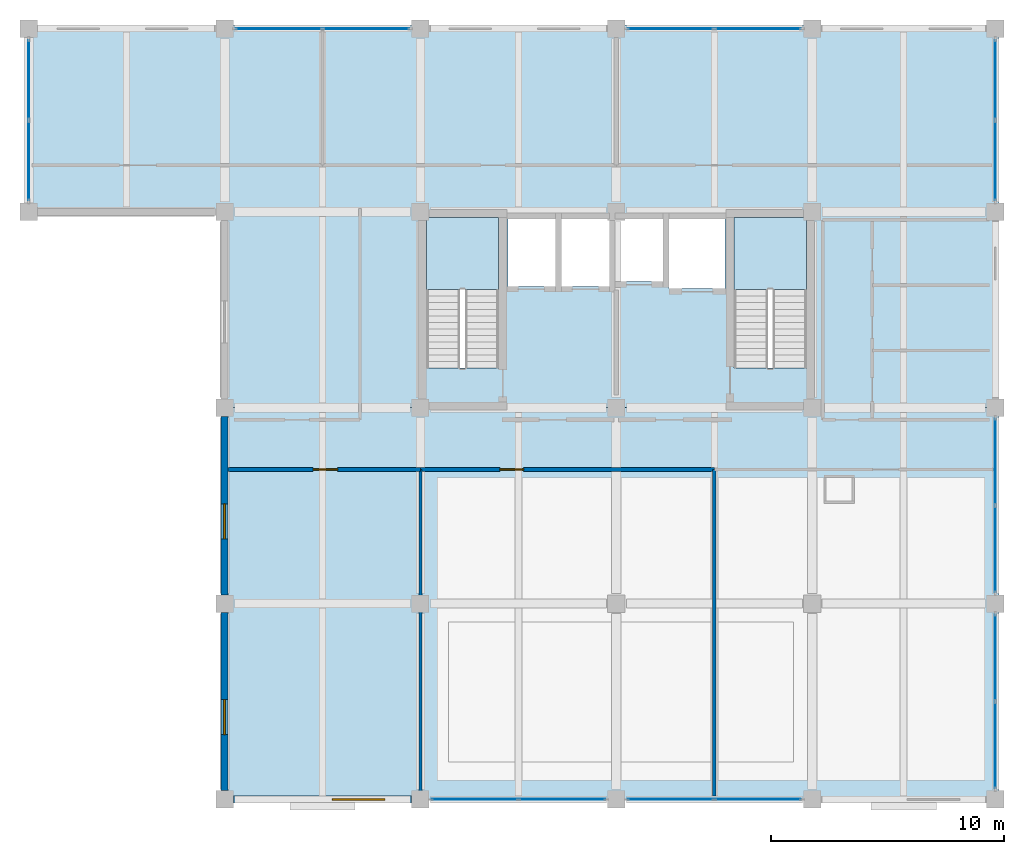
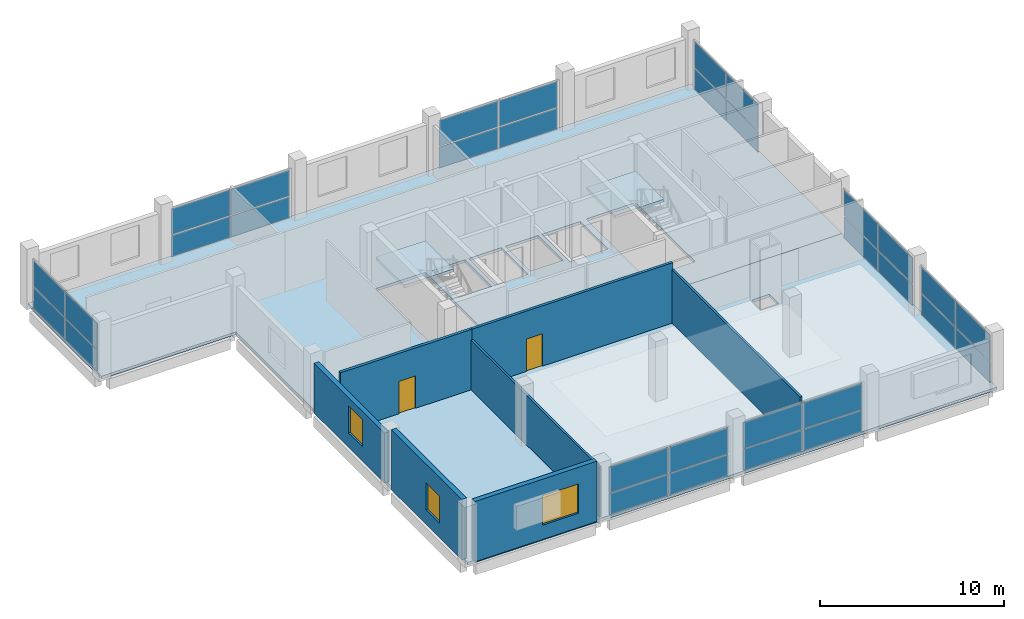
# One storey, part 6 of 9: 32 plates, 7 walls, 4 slabs, 3 windows, 2 doors, 5 openings, 10 elements without a shape of their own.
"""IFC4 building model written with IfcOpenShell, lengths in metres."""

from ifc_helpers import new_model, si_unit, direction, frame, frame_2d, origin, origin_2d, place, context, subcontext, project, spatial, polyline, rectangle, outline, extrude, material, layer, layer_set, type_object, element, fill, aggregate, save


model = new_model("IFC4")

# Units and contexts
model_context = context("Model", 3, precision=1e-05, world=origin(), true_north=direction((0.0, 1.0)))
body_context = subcontext(model_context, "Body", "Model", "MODEL_VIEW")
ifc_project = project(units=[si_unit("LENGTHUNIT", "METRE"), si_unit("AREAUNIT", "SQUARE_METRE"), si_unit("VOLUMEUNIT", "CUBIC_METRE"), si_unit("PLANEANGLEUNIT", "RADIAN"), si_unit("MASSUNIT", "GRAM", prefix="KILO")], contexts=[model_context])

# Site, building, storey
site_placement = place(None, origin())
site = spatial("IfcSite", under=ifc_project, at=site_placement, CompositionType="ELEMENT")
building_placement = place(site_placement, origin())
building = spatial("IfcBuilding", under=site, at=building_placement, Name="Brinegate Botanical Conservatory", CompositionType="ELEMENT")
storey_placement = place(building_placement, frame((0.0, 0.0, 40.199951171875)))
storey = spatial("IfcBuildingStorey", under=building, at=storey_placement, Name="L10", CompositionType="ELEMENT", Elevation=40.199951171875)

# Curtain wall, plates
ifc_material_1 = material(Name="Thermally broken anodised aluminium AW-6063-T6", Category="aluminium")
curtain_wall_type = type_object("IfcCurtainWallType", Name="CW_CW-TW1", PredefinedType="USERDEFINED", material=ifc_material_1)
curtain_wall_1_placement = place(storey_placement, origin())
curtain_wall_1 = element("IfcCurtainWall", 1, at=curtain_wall_1_placement, inside=storey, type_object=curtain_wall_type, Name="Research lab north curtain wall L10.2", ObjectType="FACTORY CURTAIN WALL", PredefinedType="USERDEFINED")
ifc_material_2 = material(Name="Double-silver Low-E laminated safety glass", Category="glass")
ifc_layer_1 = layer(ifc_material_2, 0.035888671875, Name="Double-silver Low-E laminated safety glass", Category="glass")
ifc_layer_set_1 = layer_set([ifc_layer_1], Name="Double-silver Low-E laminated safety glass")
plate_type = type_object("IfcPlateType", Name="Plate_PN-36", PredefinedType="CURTAIN_PANEL", material=ifc_layer_set_1)
plate_1_placement = place(storey_placement, frame((132.72509765625, 111.449951171875, 0.070068359375), z_axis=(0.0, 0.0, 1.0), x_axis=(1.0, 0.0, 0.0)))
plate_1 = element("IfcPlate", 2, at=plate_1_placement, type_object=plate_type, Name="CW-TW1 panel 1.1", PredefinedType="CURTAIN_PANEL", context=body_context, shape_type="SweptSolid", body=[
    extrude(rectangle(XDim=3.679931640625, YDim=0.035888671875, at=origin_2d()), origin(), (0.0, 0.0, 1.0), 1.3798828125),
])
plate_2_placement = place(storey_placement, frame((132.72509765625, 111.449951171875, 1.52001953125), z_axis=(0.0, 0.0, 1.0), x_axis=(1.0, 0.0, 0.0)))
plate_2 = element("IfcPlate", 3, at=plate_2_placement, type_object=plate_type, Name="CW-TW1 panel 1.2", PredefinedType="CURTAIN_PANEL", context=body_context, shape_type="SweptSolid", body=[
    extrude(rectangle(XDim=3.679931640625, YDim=0.035888671875, at=origin_2d()), origin(), (0.0, 0.0, 1.0), 1.7099609375),
])
plate_3_placement = place(storey_placement, frame((136.47509765625, 111.449951171875, 0.070068359375), z_axis=(0.0, 0.0, 1.0), x_axis=(1.0, 0.0, 0.0)))
plate_3 = element("IfcPlate", 4, at=plate_3_placement, type_object=plate_type, Name="CW-TW1 panel 2.1", PredefinedType="CURTAIN_PANEL", context=body_context, shape_type="SweptSolid", body=[
    extrude(rectangle(XDim=3.679931640625, YDim=0.035888671875, at=origin_2d()), origin(), (0.0, 0.0, 1.0), 1.3798828125),
])
plate_4_placement = place(storey_placement, frame((136.47509765625, 111.449951171875, 1.52001953125), z_axis=(0.0, 0.0, 1.0), x_axis=(1.0, 0.0, 0.0)))
plate_4 = element("IfcPlate", 5, at=plate_4_placement, type_object=plate_type, Name="CW-TW1 panel 2.2", PredefinedType="CURTAIN_PANEL", context=body_context, shape_type="SweptSolid", body=[
    extrude(rectangle(XDim=3.679931640625, YDim=0.035888671875, at=origin_2d()), origin(), (0.0, 0.0, 1.0), 1.7099609375),
])
aggregate(curtain_wall_1, [plate_1, plate_2, plate_3, plate_4])

curtain_wall_2_placement = place(storey_placement, origin())
curtain_wall_2 = element("IfcCurtainWall", 6, at=curtain_wall_2_placement, inside=storey, type_object=curtain_wall_type, Name="Research lab north curtain wall L10.4", ObjectType="FACTORY CURTAIN WALL", PredefinedType="USERDEFINED")
plate_5_placement = place(storey_placement, frame((149.52490234375, 111.449951171875, 0.070068359375), z_axis=(0.0, 0.0, 1.0), x_axis=(1.0, 0.0, 0.0)))
plate_5 = element("IfcPlate", 7, at=plate_5_placement, type_object=plate_type, Name="CW-TW1 panel 1.1", PredefinedType="CURTAIN_PANEL", context=body_context, shape_type="SweptSolid", body=[
    extrude(rectangle(XDim=3.679931640625, YDim=0.035888671875, at=origin_2d()), origin(), (0.0, 0.0, 1.0), 1.3798828125),
])
plate_6_placement = place(storey_placement, frame((149.52490234375, 111.449951171875, 1.52001953125), z_axis=(0.0, 0.0, 1.0), x_axis=(1.0, 0.0, 0.0)))
plate_6 = element("IfcPlate", 8, at=plate_6_placement, type_object=plate_type, Name="CW-TW1 panel 1.2", PredefinedType="CURTAIN_PANEL", context=body_context, shape_type="SweptSolid", body=[
    extrude(rectangle(XDim=3.679931640625, YDim=0.035888671875, at=origin_2d()), origin(), (0.0, 0.0, 1.0), 1.7099609375),
])
plate_7_placement = place(storey_placement, frame((153.27490234375, 111.449951171875, 0.070068359375), z_axis=(0.0, 0.0, 1.0), x_axis=(1.0, 0.0, 0.0)))
plate_7 = element("IfcPlate", 9, at=plate_7_placement, type_object=plate_type, Name="CW-TW1 panel 2.1", PredefinedType="CURTAIN_PANEL", context=body_context, shape_type="SweptSolid", body=[
    extrude(rectangle(XDim=3.679931640625, YDim=0.035888671875, at=origin_2d()), origin(), (0.0, 0.0, 1.0), 1.3798828125),
])
plate_8_placement = place(storey_placement, frame((153.27490234375, 111.449951171875, 1.52001953125), z_axis=(0.0, 0.0, 1.0), x_axis=(1.0, 0.0, 0.0)))
plate_8 = element("IfcPlate", 10, at=plate_8_placement, type_object=plate_type, Name="CW-TW1 panel 2.2", PredefinedType="CURTAIN_PANEL", context=body_context, shape_type="SweptSolid", body=[
    extrude(rectangle(XDim=3.679931640625, YDim=0.035888671875, at=origin_2d()), origin(), (0.0, 0.0, 1.0), 1.7099609375),
])
aggregate(curtain_wall_2, [plate_5, plate_6, plate_7, plate_8])

curtain_wall_3_placement = place(storey_placement, origin())
curtain_wall_3 = element("IfcCurtainWall", 11, at=curtain_wall_3_placement, inside=storey, type_object=curtain_wall_type, Name="Tower south curtain wall L10.2", ObjectType="FACTORY CURTAIN WALL", PredefinedType="USERDEFINED")
plate_9_placement = place(storey_placement, frame((144.875, 78.39990234375, 0.070068359375), z_axis=(0.0, 0.0, 1.0), x_axis=(-1.0, 0.0, 0.0)))
plate_9 = element("IfcPlate", 12, at=plate_9_placement, type_object=plate_type, Name="CW-TW1 panel 1.1", PredefinedType="CURTAIN_PANEL", context=body_context, shape_type="SweptSolid", body=[
    extrude(rectangle(XDim=3.679931640625, YDim=0.035888671875, at=origin_2d()), origin(), (0.0, 0.0, 1.0), 1.3798828125),
])
plate_10_placement = place(storey_placement, frame((144.875, 78.39990234375, 1.52001953125), z_axis=(0.0, 0.0, 1.0), x_axis=(-1.0, 0.0, 0.0)))
plate_10 = element("IfcPlate", 13, at=plate_10_placement, type_object=plate_type, Name="CW-TW1 panel 1.2", PredefinedType="CURTAIN_PANEL", context=body_context, shape_type="SweptSolid", body=[
    extrude(rectangle(XDim=3.679931640625, YDim=0.035888671875, at=origin_2d()), origin(), (0.0, 0.0, 1.0), 1.7099609375),
])
plate_11_placement = place(storey_placement, frame((141.125, 78.39990234375, 0.070068359375), z_axis=(0.0, 0.0, 1.0), x_axis=(-1.0, 0.0, 0.0)))
plate_11 = element("IfcPlate", 14, at=plate_11_placement, type_object=plate_type, Name="CW-TW1 panel 2.1", PredefinedType="CURTAIN_PANEL", context=body_context, shape_type="SweptSolid", body=[
    extrude(rectangle(XDim=3.679931640625, YDim=0.035888671875, at=origin_2d()), origin(), (0.0, 0.0, 1.0), 1.3798828125),
])
plate_12_placement = place(storey_placement, frame((141.125, 78.39990234375, 1.52001953125), z_axis=(0.0, 0.0, 1.0), x_axis=(-1.0, 0.0, 0.0)))
plate_12 = element("IfcPlate", 15, at=plate_12_placement, type_object=plate_type, Name="CW-TW1 panel 2.2", PredefinedType="CURTAIN_PANEL", context=body_context, shape_type="SweptSolid", body=[
    extrude(rectangle(XDim=3.679931640625, YDim=0.035888671875, at=origin_2d()), origin(), (0.0, 0.0, 1.0), 1.7099609375),
])
aggregate(curtain_wall_3, [plate_9, plate_10, plate_11, plate_12])

curtain_wall_4_placement = place(storey_placement, origin())
curtain_wall_4 = element("IfcCurtainWall", 16, at=curtain_wall_4_placement, inside=storey, type_object=curtain_wall_type, Name="Tower south curtain wall L10.3", ObjectType="FACTORY CURTAIN WALL", PredefinedType="USERDEFINED")
plate_13_placement = place(storey_placement, frame((153.27490234375, 78.39990234375, 0.070068359375), z_axis=(0.0, 0.0, 1.0), x_axis=(-1.0, 0.0, 0.0)))
plate_13 = element("IfcPlate", 17, at=plate_13_placement, type_object=plate_type, Name="CW-TW1 panel 1.1", PredefinedType="CURTAIN_PANEL", context=body_context, shape_type="SweptSolid", body=[
    extrude(rectangle(XDim=3.679931640625, YDim=0.035888671875, at=origin_2d()), origin(), (0.0, 0.0, 1.0), 1.3798828125),
])
plate_14_placement = place(storey_placement, frame((153.27490234375, 78.39990234375, 1.52001953125), z_axis=(0.0, 0.0, 1.0), x_axis=(-1.0, 0.0, 0.0)))
plate_14 = element("IfcPlate", 18, at=plate_14_placement, type_object=plate_type, Name="CW-TW1 panel 1.2", PredefinedType="CURTAIN_PANEL", context=body_context, shape_type="SweptSolid", body=[
    extrude(rectangle(XDim=3.679931640625, YDim=0.035888671875, at=origin_2d()), origin(), (0.0, 0.0, 1.0), 1.7099609375),
])
plate_15_placement = place(storey_placement, frame((149.52490234375, 78.39990234375, 0.070068359375), z_axis=(0.0, 0.0, 1.0), x_axis=(-1.0, 0.0, 0.0)))
plate_15 = element("IfcPlate", 19, at=plate_15_placement, type_object=plate_type, Name="CW-TW1 panel 2.1", PredefinedType="CURTAIN_PANEL", context=body_context, shape_type="SweptSolid", body=[
    extrude(rectangle(XDim=3.679931640625, YDim=0.035888671875, at=origin_2d()), origin(), (0.0, 0.0, 1.0), 1.3798828125),
])
plate_16_placement = place(storey_placement, frame((149.52490234375, 78.39990234375, 1.52001953125), z_axis=(0.0, 0.0, 1.0), x_axis=(-1.0, 0.0, 0.0)))
plate_16 = element("IfcPlate", 20, at=plate_16_placement, type_object=plate_type, Name="CW-TW1 panel 2.2", PredefinedType="CURTAIN_PANEL", context=body_context, shape_type="SweptSolid", body=[
    extrude(rectangle(XDim=3.679931640625, YDim=0.035888671875, at=origin_2d()), origin(), (0.0, 0.0, 1.0), 1.7099609375),
])
aggregate(curtain_wall_4, [plate_13, plate_14, plate_15, plate_16])

curtain_wall_5_placement = place(storey_placement, origin())
curtain_wall_5 = element("IfcCurtainWall", 21, at=curtain_wall_5_placement, inside=storey, type_object=curtain_wall_type, Name="Tower east curtain wall L10.1", ObjectType="FACTORY CURTAIN WALL", PredefinedType="USERDEFINED")
plate_17_placement = place(storey_placement, frame((163.449951171875, 84.47509765625, 0.070068359375), z_axis=(0.0, 0.0, 1.0), x_axis=(0.0, -1.0, 0.0)))
plate_17 = element("IfcPlate", 22, at=plate_17_placement, type_object=plate_type, Name="CW-TW1 panel 1.1", PredefinedType="CURTAIN_PANEL", context=body_context, shape_type="SweptSolid", body=[
    extrude(rectangle(XDim=3.679931640625, YDim=0.035888671875, at=origin_2d()), origin(), (0.0, 0.0, 1.0), 1.3798828125),
])
plate_18_placement = place(storey_placement, frame((163.449951171875, 84.47509765625, 1.52001953125), z_axis=(0.0, 0.0, 1.0), x_axis=(0.0, -1.0, 0.0)))
plate_18 = element("IfcPlate", 23, at=plate_18_placement, type_object=plate_type, Name="CW-TW1 panel 1.2", PredefinedType="CURTAIN_PANEL", context=body_context, shape_type="SweptSolid", body=[
    extrude(rectangle(XDim=3.679931640625, YDim=0.035888671875, at=origin_2d()), origin(), (0.0, 0.0, 1.0), 1.7099609375),
])
plate_19_placement = place(storey_placement, frame((163.449951171875, 80.72509765625, 0.070068359375), z_axis=(0.0, 0.0, 1.0), x_axis=(0.0, -1.0, 0.0)))
plate_19 = element("IfcPlate", 24, at=plate_19_placement, type_object=plate_type, Name="CW-TW1 panel 2.1", PredefinedType="CURTAIN_PANEL", context=body_context, shape_type="SweptSolid", body=[
    extrude(rectangle(XDim=3.679931640625, YDim=0.035888671875, at=origin_2d()), origin(), (0.0, 0.0, 1.0), 1.3798828125),
])
plate_20_placement = place(storey_placement, frame((163.449951171875, 80.72509765625, 1.52001953125), z_axis=(0.0, 0.0, 1.0), x_axis=(0.0, -1.0, 0.0)))
plate_20 = element("IfcPlate", 25, at=plate_20_placement, type_object=plate_type, Name="CW-TW1 panel 2.2", PredefinedType="CURTAIN_PANEL", context=body_context, shape_type="SweptSolid", body=[
    extrude(rectangle(XDim=3.679931640625, YDim=0.035888671875, at=origin_2d()), origin(), (0.0, 0.0, 1.0), 1.7099609375),
])
aggregate(curtain_wall_5, [plate_17, plate_18, plate_19, plate_20])

curtain_wall_6_placement = place(storey_placement, origin())
curtain_wall_6 = element("IfcCurtainWall", 26, at=curtain_wall_6_placement, inside=storey, type_object=curtain_wall_type, Name="Tower east curtain wall L10.2", ObjectType="FACTORY CURTAIN WALL", PredefinedType="USERDEFINED")
plate_21_placement = place(storey_placement, frame((163.449951171875, 92.875, 0.070068359375), z_axis=(0.0, 0.0, 1.0), x_axis=(0.0, -1.0, 0.0)))
plate_21 = element("IfcPlate", 27, at=plate_21_placement, type_object=plate_type, Name="CW-TW1 panel 1.1", PredefinedType="CURTAIN_PANEL", context=body_context, shape_type="SweptSolid", body=[
    extrude(rectangle(XDim=3.679931640625, YDim=0.035888671875, at=origin_2d()), origin(), (0.0, 0.0, 1.0), 1.3798828125),
])
plate_22_placement = place(storey_placement, frame((163.449951171875, 92.875, 1.52001953125), z_axis=(0.0, 0.0, 1.0), x_axis=(0.0, -1.0, 0.0)))
plate_22 = element("IfcPlate", 28, at=plate_22_placement, type_object=plate_type, Name="CW-TW1 panel 1.2", PredefinedType="CURTAIN_PANEL", context=body_context, shape_type="SweptSolid", body=[
    extrude(rectangle(XDim=3.679931640625, YDim=0.035888671875, at=origin_2d()), origin(), (0.0, 0.0, 1.0), 1.7099609375),
])
plate_23_placement = place(storey_placement, frame((163.449951171875, 89.125, 0.070068359375), z_axis=(0.0, 0.0, 1.0), x_axis=(0.0, -1.0, 0.0)))
plate_23 = element("IfcPlate", 29, at=plate_23_placement, type_object=plate_type, Name="CW-TW1 panel 2.1", PredefinedType="CURTAIN_PANEL", context=body_context, shape_type="SweptSolid", body=[
    extrude(rectangle(XDim=3.679931640625, YDim=0.035888671875, at=origin_2d()), origin(), (0.0, 0.0, 1.0), 1.3798828125),
])
plate_24_placement = place(storey_placement, frame((163.449951171875, 89.125, 1.52001953125), z_axis=(0.0, 0.0, 1.0), x_axis=(0.0, -1.0, 0.0)))
plate_24 = element("IfcPlate", 30, at=plate_24_placement, type_object=plate_type, Name="CW-TW1 panel 2.2", PredefinedType="CURTAIN_PANEL", context=body_context, shape_type="SweptSolid", body=[
    extrude(rectangle(XDim=3.679931640625, YDim=0.035888671875, at=origin_2d()), origin(), (0.0, 0.0, 1.0), 1.7099609375),
])
aggregate(curtain_wall_6, [plate_21, plate_22, plate_23, plate_24])

curtain_wall_7_placement = place(storey_placement, origin())
curtain_wall_7 = element("IfcCurtainWall", 31, at=curtain_wall_7_placement, inside=storey, type_object=curtain_wall_type, Name="Tower east curtain wall L10.4", ObjectType="FACTORY CURTAIN WALL", PredefinedType="USERDEFINED")
plate_25_placement = place(storey_placement, frame((163.449951171875, 109.262451171875, 0.070068359375), z_axis=(0.0, 0.0, 1.0), x_axis=(0.0, -1.0, 0.0)))
plate_25 = element("IfcPlate", 32, at=plate_25_placement, type_object=plate_type, Name="CW-TW1 panel 1.1", PredefinedType="CURTAIN_PANEL", context=body_context, shape_type="SweptSolid", body=[
    extrude(rectangle(XDim=3.405029296875, YDim=0.035888671875, at=origin_2d()), origin(), (0.0, 0.0, 1.0), 1.3798828125),
])
plate_26_placement = place(storey_placement, frame((163.449951171875, 109.262451171875, 1.52001953125), z_axis=(0.0, 0.0, 1.0), x_axis=(0.0, -1.0, 0.0)))
plate_26 = element("IfcPlate", 33, at=plate_26_placement, type_object=plate_type, Name="CW-TW1 panel 1.2", PredefinedType="CURTAIN_PANEL", context=body_context, shape_type="SweptSolid", body=[
    extrude(rectangle(XDim=3.405029296875, YDim=0.035888671875, at=origin_2d()), origin(), (0.0, 0.0, 1.0), 1.7099609375),
])
plate_27_placement = place(storey_placement, frame((163.449951171875, 105.78759765625, 0.070068359375), z_axis=(0.0, 0.0, 1.0), x_axis=(0.0, -1.0, 0.0)))
plate_27 = element("IfcPlate", 34, at=plate_27_placement, type_object=plate_type, Name="CW-TW1 panel 2.1", PredefinedType="CURTAIN_PANEL", context=body_context, shape_type="SweptSolid", body=[
    extrude(rectangle(XDim=3.405029296875, YDim=0.035888671875, at=origin_2d()), origin(), (0.0, 0.0, 1.0), 1.3798828125),
])
plate_28_placement = place(storey_placement, frame((163.449951171875, 105.78759765625, 1.52001953125), z_axis=(0.0, 0.0, 1.0), x_axis=(0.0, -1.0, 0.0)))
plate_28 = element("IfcPlate", 35, at=plate_28_placement, type_object=plate_type, Name="CW-TW1 panel 2.2", PredefinedType="CURTAIN_PANEL", context=body_context, shape_type="SweptSolid", body=[
    extrude(rectangle(XDim=3.405029296875, YDim=0.035888671875, at=origin_2d()), origin(), (0.0, 0.0, 1.0), 1.7099609375),
])
aggregate(curtain_wall_7, [plate_25, plate_26, plate_27, plate_28])

curtain_wall_8_placement = place(storey_placement, origin())
curtain_wall_8 = element("IfcCurtainWall", 36, at=curtain_wall_8_placement, inside=storey, type_object=curtain_wall_type, Name="Tower north-west curtain wall L10", ObjectType="FACTORY CURTAIN WALL", PredefinedType="USERDEFINED")
plate_29_placement = place(storey_placement, frame((122.0, 105.78759765625, 0.070068359375), z_axis=(0.0, 0.0, 1.0), x_axis=(0.0, 1.0, 0.0)))
plate_29 = element("IfcPlate", 37, at=plate_29_placement, type_object=plate_type, Name="CW-TW1 panel 1.1", PredefinedType="CURTAIN_PANEL", context=body_context, shape_type="SweptSolid", body=[
    extrude(rectangle(XDim=3.405029296875, YDim=0.035888671875, at=origin_2d()), origin(), (0.0, 0.0, 1.0), 1.3798828125),
])
plate_30_placement = place(storey_placement, frame((122.0, 105.78759765625, 1.52001953125), z_axis=(0.0, 0.0, 1.0), x_axis=(0.0, 1.0, 0.0)))
plate_30 = element("IfcPlate", 38, at=plate_30_placement, type_object=plate_type, Name="CW-TW1 panel 1.2", PredefinedType="CURTAIN_PANEL", context=body_context, shape_type="SweptSolid", body=[
    extrude(rectangle(XDim=3.405029296875, YDim=0.035888671875, at=origin_2d()), origin(), (0.0, 0.0, 1.0), 1.7099609375),
])
plate_31_placement = place(storey_placement, frame((122.0, 109.262451171875, 0.070068359375), z_axis=(0.0, 0.0, 1.0), x_axis=(0.0, 1.0, 0.0)))
plate_31 = element("IfcPlate", 39, at=plate_31_placement, type_object=plate_type, Name="CW-TW1 panel 2.1", PredefinedType="CURTAIN_PANEL", context=body_context, shape_type="SweptSolid", body=[
    extrude(rectangle(XDim=3.405029296875, YDim=0.035888671875, at=origin_2d()), origin(), (0.0, 0.0, 1.0), 1.3798828125),
])
plate_32_placement = place(storey_placement, frame((122.0, 109.262451171875, 1.52001953125), z_axis=(0.0, 0.0, 1.0), x_axis=(0.0, 1.0, 0.0)))
plate_32 = element("IfcPlate", 40, at=plate_32_placement, type_object=plate_type, Name="CW-TW1 panel 2.2", PredefinedType="CURTAIN_PANEL", context=body_context, shape_type="SweptSolid", body=[
    extrude(rectangle(XDim=3.405029296875, YDim=0.035888671875, at=origin_2d()), origin(), (0.0, 0.0, 1.0), 1.7099609375),
])
aggregate(curtain_wall_8, [plate_29, plate_30, plate_31, plate_32])

# Slabs
ifc_material_3 = material(Name="Concrete C40/50", Category="concrete")
ifc_layer_2 = layer(ifc_material_3, 0.179931640625, Name="Concrete C40/50", Category="concrete")
ifc_layer_set_2 = layer_set([ifc_layer_2], Name="Concrete C40/50")
slab_type_1 = type_object("IfcSlabType", Name="Slab_SL-FL180", PredefinedType="FLOOR", material=ifc_layer_set_2)
slab_1_placement = place(storey_placement, frame((0.0, 0.0, -0.179931640625)))
element("IfcSlab", 41, at=slab_1_placement, inside=storey, type_object=slab_type_1, Name="Research Tower L10 north structural floor slab", PredefinedType="FLOOR", context=body_context, shape_type="SweptSolid", body=[
    extrude(outline(polyline([(130.39990234375, 103.60009765625), (122.0, 103.60009765625), (122.0, 111.60009765625), (163.60009765625, 111.60009765625), (163.60009765625, 95.199951171875), (130.39990234375, 95.199951171875), (130.39990234375, 103.60009765625)]), holes=[polyline([(142.14990234375, 96.89990234375), (142.14990234375, 103.35009765625), (139.050048828125, 103.35009765625), (139.050048828125, 96.89990234375), (142.14990234375, 96.89990234375)]), polyline([(155.35009765625, 96.89990234375), (155.35009765625, 103.35009765625), (152.25, 103.35009765625), (152.25, 96.89990234375), (155.35009765625, 96.89990234375)]), polyline([(142.550048828125, 100.39990234375), (144.60009765625, 100.39990234375), (144.60009765625, 103.300048828125), (142.550048828125, 103.300048828125), (142.550048828125, 100.39990234375)]), polyline([(144.85009765625, 100.39990234375), (146.89990234375, 100.39990234375), (146.89990234375, 103.300048828125), (144.85009765625, 103.300048828125), (144.85009765625, 100.39990234375)]), polyline([(147.14990234375, 100.60009765625), (149.199951171875, 100.60009765625), (149.199951171875, 103.300048828125), (147.14990234375, 103.300048828125), (147.14990234375, 100.60009765625)]), polyline([(149.449951171875, 100.300048828125), (151.85009765625, 100.300048828125), (151.85009765625, 103.300048828125), (149.449951171875, 103.300048828125), (149.449951171875, 100.300048828125)])]), origin(), (0.0, 0.0, 1.0), 0.179931640625),
])
ifc_layer_3 = layer(ifc_material_3, 0.18505859375, Name="Concrete C40/50", Category="concrete")
ifc_layer_set_3 = layer_set([ifc_layer_3], Name="Concrete C40/50")
slab_type_2 = type_object("IfcSlabType", Name="Slab_SL-FL185", PredefinedType="FLOOR", material=ifc_layer_set_3)
slab_2_placement = place(storey_placement, frame((0.0, 0.0, -0.18505859375)))
element("IfcSlab", 42, at=slab_2_placement, inside=storey, type_object=slab_type_2, Name="Research Tower L10 south structural floor slab", PredefinedType="FLOOR", context=body_context, shape_type="SweptSolid", body=[
    extrude(outline(polyline([(163.60009765625, 78.39990234375), (130.39990234375, 78.39990234375), (130.39990234375, 95.199951171875), (163.60009765625, 95.199951171875), (163.60009765625, 78.39990234375)]), holes=[polyline([(156.199951171875, 91.199951171875), (157.300048828125, 91.199951171875), (157.300048828125, 92.199951171875), (156.199951171875, 92.199951171875), (156.199951171875, 91.199951171875)])]), origin(), (0.0, 0.0, 1.0), 0.18505859375),
])

# Stair, slab
stair_type = type_object("IfcStairType", Name="Stair_HT-4200", PredefinedType="HALF_TURN_STAIR", material=ifc_material_3)
stair_1_placement = place(storey_placement, origin())
stair_1 = element("IfcStair", 43, at=stair_1_placement, inside=storey, type_object=stair_type, Name="L10 Tower West Smoke-Proof Stair ST1", PredefinedType="HALF_TURN_STAIR")
ifc_layer_4 = layer(ifc_material_3, 0.199951171875, Name="Concrete C40/50", Category="concrete")
ifc_layer_set_4 = layer_set([ifc_layer_4], Name="Concrete C40/50")
slab_type_3 = type_object("IfcSlabType", Name="Slab_SL-LD200", PredefinedType="LANDING", material=ifc_layer_set_4)
slab_3_placement = place(storey_placement, frame((0.0, 0.0, 1.900146484375)))
slab_3 = element("IfcSlab", 44, at=slab_3_placement, type_object=slab_type_3, Name="ST1 landing 1", PredefinedType="LANDING", context=body_context, shape_type="SweptSolid", body=[
    extrude(outline(polyline([(142.14990234375, 100.260009765625), (142.14990234375, 103.35009765625), (139.050048828125, 103.35009765625), (139.050048828125, 100.260009765625), (142.14990234375, 100.260009765625)])), origin(), (0.0, 0.0, 1.0), 0.199951171875),
])
aggregate(stair_1, [slab_3])

stair_2_placement = place(storey_placement, origin())
stair_2 = element("IfcStair", 45, at=stair_2_placement, inside=storey, type_object=stair_type, Name="L10 Tower East Smoke-Proof Stair ST2", PredefinedType="HALF_TURN_STAIR")
slab_4_placement = place(storey_placement, frame((0.0, 0.0, 1.900146484375)))
slab_4 = element("IfcSlab", 46, at=slab_4_placement, type_object=slab_type_3, Name="ST2 landing 1", PredefinedType="LANDING", context=body_context, shape_type="SweptSolid", body=[
    extrude(outline(polyline([(155.35009765625, 100.260009765625), (155.35009765625, 103.35009765625), (152.25, 103.35009765625), (152.25, 100.260009765625), (155.35009765625, 100.260009765625)])), origin(), (0.0, 0.0, 1.0), 0.199951171875),
])
aggregate(stair_2, [slab_4])

# Wall, opening, window
ifc_material_4 = material(Name="Insulated Minnan red clay brick masonry", Category="masonry")
ifc_layer_5 = layer(ifc_material_4, 0.300048828125, Name="Insulated Minnan red clay brick masonry", Category="masonry")
ifc_layer_set_5 = layer_set([ifc_layer_5], Name="Insulated Minnan red clay brick masonry")
wall_type_1 = type_object("IfcWallType", Name="Wall_EW-300B", PredefinedType="STANDARD", material=ifc_layer_set_5)
wall_1_placement = place(storey_placement, frame((138.425048828125, 78.39990234375, 0.0), z_axis=(0.0, 0.0, 1.0), x_axis=(-1.0, 0.0, 0.0)))
wall_1 = element("IfcWall", 47, at=wall_1_placement, inside=storey, type_object=wall_type_1, Name="Tower south facade wall L10.1", PredefinedType="STANDARD", context=body_context, shape_type="SweptSolid", body=[
    extrude(rectangle(XDim=7.650146484375, YDim=0.300048828125, at=frame_2d((3.8251953125, 0.0))), origin(), (0.0, 0.0, 1.0), 4.0),
])
opening_1_placement = place(wall_1_placement, frame((1.14990234375, 0.0, 0.949951171875)))
opening_1 = element("IfcOpeningElement", 48, at=opening_1_placement, cuts=wall_1, Name="Opening WN-25", PredefinedType="OPENING", context=body_context, shape_type="SweptSolid", body=[
    extrude(rectangle(XDim=2.25, YDim=1.949951171875, at=frame_2d((1.125, 0.97509765625))), frame((0.0, 0.159912109375, 0.0), z_axis=(0.0, -1.0, 0.0), x_axis=(1.0, 0.0, 0.0)), (0.0, 0.0, 1.0), 0.320068359375),
])
ifc_material_5 = material(Name="Thermally broken aluminium-framed Low-E glass", Category="aluminium")
window_type_1 = type_object("IfcWindowType", Name="Win_WN-25", PartitioningType="TRIPLE_PANEL_VERTICAL", PredefinedType="WINDOW", material=ifc_material_5)
window_1_placement = place(opening_1_placement, origin())
window_1 = element("IfcWindow", 49, at=window_1_placement, inside=storey, type_object=window_type_1, Name="Tower south window L10.1", OverallHeight=1.949951171875, OverallWidth=2.25, PartitioningType="TRIPLE_PANEL_VERTICAL", PredefinedType="WINDOW", context=body_context, shape_type="SweptSolid", body=[
    extrude(rectangle(XDim=2.25, YDim=1.949951171875, at=frame_2d((1.125, 0.97509765625))), frame((0.0, 0.030029296875, 0.0), z_axis=(0.0, -1.0, 0.0), x_axis=(1.0, 0.0, 0.0)), (0.0, 0.0, 1.0), 0.06005859375),
])
fill(opening_1, window_1)

wall_2_placement = place(storey_placement, frame((130.39990234375, 78.77490234375, 0.0), z_axis=(0.0, 0.0, 1.0), x_axis=(0.0, 1.0, 0.0)))
wall_2 = element("IfcWall", 50, at=wall_2_placement, inside=storey, type_object=wall_type_1, Name="Tower west wall L10.S1", PredefinedType="STANDARD", context=body_context, shape_type="SweptSolid", body=[
    extrude(rectangle(XDim=7.650146484375, YDim=0.300048828125, at=frame_2d((3.8251953125, 0.0))), origin(), (0.0, 0.0, 1.0), 4.0),
])
opening_2_placement = place(wall_2_placement, frame((2.39990234375, 0.0, 0.949951171875)))
opening_2 = element("IfcOpeningElement", 51, at=opening_2_placement, cuts=wall_2, Name="Opening WN-04", PredefinedType="OPENING", context=body_context, shape_type="SweptSolid", body=[
    extrude(rectangle(XDim=1.5, YDim=1.800048828125, at=frame_2d((0.75, 0.89990234375))), frame((0.0, 0.159912109375, 0.0), z_axis=(0.0, -1.0, 0.0), x_axis=(1.0, 0.0, 0.0)), (0.0, 0.0, 1.0), 0.320068359375),
])
window_type_2 = type_object("IfcWindowType", Name="Win_WN-04", PartitioningType="DOUBLE_PANEL_VERTICAL", PredefinedType="WINDOW", material=ifc_material_5)
window_2_placement = place(opening_2_placement, origin())
window_2 = element("IfcWindow", 52, at=window_2_placement, inside=storey, type_object=window_type_2, Name="Tower west window L10.S1", OverallHeight=1.800048828125, OverallWidth=1.5, PartitioningType="DOUBLE_PANEL_VERTICAL", PredefinedType="WINDOW", context=body_context, shape_type="SweptSolid", body=[
    extrude(rectangle(XDim=1.5, YDim=1.800048828125, at=frame_2d((0.75, 0.89990234375))), frame((0.0, 0.030029296875, 0.0), z_axis=(0.0, -1.0, 0.0), x_axis=(1.0, 0.0, 0.0)), (0.0, 0.0, 1.0), 0.06005859375),
])
fill(opening_2, window_2)

wall_3_placement = place(storey_placement, frame((130.39990234375, 87.175048828125, 0.0), z_axis=(0.0, 0.0, 1.0), x_axis=(0.0, 1.0, 0.0)))
wall_3 = element("IfcWall", 53, at=wall_3_placement, inside=storey, type_object=wall_type_1, Name="Tower west wall L10.S2", PredefinedType="STANDARD", context=body_context, shape_type="SweptSolid", body=[
    extrude(rectangle(XDim=7.64990234375, YDim=0.300048828125, at=frame_2d((3.824951171875, 0.0))), origin(), (0.0, 0.0, 1.0), 3.300048828125),
])
opening_3_placement = place(wall_3_placement, frame((2.39990234375, 0.0, 0.949951171875)))
opening_3 = element("IfcOpeningElement", 54, at=opening_3_placement, cuts=wall_3, Name="Opening WN-04", PredefinedType="OPENING", context=body_context, shape_type="SweptSolid", body=[
    extrude(rectangle(XDim=1.5, YDim=1.800048828125, at=frame_2d((0.75, 0.89990234375))), frame((0.0, 0.159912109375, 0.0), z_axis=(0.0, -1.0, 0.0), x_axis=(1.0, 0.0, 0.0)), (0.0, 0.0, 1.0), 0.320068359375),
])
window_3_placement = place(opening_3_placement, origin())
window_3 = element("IfcWindow", 55, at=window_3_placement, inside=storey, type_object=window_type_2, Name="Tower west window L10.S2", OverallHeight=1.800048828125, OverallWidth=1.5, PartitioningType="DOUBLE_PANEL_VERTICAL", PredefinedType="WINDOW", context=body_context, shape_type="SweptSolid", body=[
    extrude(rectangle(XDim=1.5, YDim=1.800048828125, at=frame_2d((0.75, 0.89990234375))), frame((0.0, 0.030029296875, 0.0), z_axis=(0.0, -1.0, 0.0), x_axis=(1.0, 0.0, 0.0)), (0.0, 0.0, 1.0), 0.06005859375),
])
fill(opening_3, window_3)

# Walls
ifc_material_6 = material(Name="Gypsum-clad steel-stud partition", Category="steel")
ifc_layer_6 = layer(ifc_material_6, 0.135009765625, Name="Gypsum-clad steel-stud partition", Category="steel")
ifc_layer_set_6 = layer_set([ifc_layer_6], Name="Gypsum-clad steel-stud partition")
wall_type_2 = type_object("IfcWallType", Name="Wall_PW-135", PredefinedType="PARTITIONING", material=ifc_layer_set_6)
wall_4_placement = place(storey_placement, frame((138.800048828125, 78.550048828125, 0.0), z_axis=(0.0, 0.0, 1.0), x_axis=(0.0, 1.0, 0.0)))
element("IfcWall", 56, at=wall_4_placement, inside=storey, type_object=wall_type_2, Name="Interior partition P-L10-SDIV-S2", PredefinedType="PARTITIONING", context=body_context, shape_type="SweptSolid", body=[
    extrude(rectangle(XDim=14.0, YDim=0.135009765625, at=frame_2d((7.0, 0.0))), origin(), (0.0, 0.0, 1.0), 3.300048828125),
])
wall_5_placement = place(storey_placement, frame((151.39990234375, 78.550048828125, 0.0), z_axis=(0.0, 0.0, 1.0), x_axis=(0.0, 1.0, 0.0)))
element("IfcWall", 57, at=wall_5_placement, inside=storey, type_object=wall_type_2, Name="Interior partition P-L10-SDIV-S3", PredefinedType="PARTITIONING", context=body_context, shape_type="SweptSolid", body=[
    extrude(rectangle(XDim=14.0, YDim=0.135009765625, at=frame_2d((7.0, 0.0))), origin(), (0.0, 0.0, 1.0), 3.550048828125),
])

# Wall, opening, door
ifc_material_7 = material(Name="Gypsum-clad acoustic steel-stud partition", Category="steel")
ifc_layer_7 = layer(ifc_material_7, 0.1650390625, Name="Gypsum-clad acoustic steel-stud partition", Category="steel")
ifc_layer_set_7 = layer_set([ifc_layer_7], Name="Gypsum-clad acoustic steel-stud partition")
wall_type_3 = type_object("IfcWallType", Name="Wall_PW-165", PredefinedType="PARTITIONING", material=ifc_layer_set_7)
wall_6_placement = place(storey_placement, frame((138.800048828125, 92.550048828125, 0.0), z_axis=(0.0, 0.0, 1.0), x_axis=(1.0, 0.0, 0.0)))
wall_6 = element("IfcWall", 58, at=wall_6_placement, inside=storey, type_object=wall_type_3, Name="Interior partition P-L10-SB-S2", PredefinedType="PARTITIONING", context=body_context, shape_type="SweptSolid", body=[
    extrude(rectangle(XDim=12.599853515625, YDim=0.1650390625, at=frame_2d((6.2998046875, 0.0))), origin(), (0.0, 0.0, 1.0), 4.0),
])
opening_4_placement = place(wall_6_placement, frame((3.39990234375, 0.0, 0.0)))
opening_4 = element("IfcOpeningElement", 59, at=opening_4_placement, cuts=wall_6, Name="Opening DR-02", PredefinedType="OPENING", context=body_context, shape_type="SweptSolid", body=[
    extrude(rectangle(XDim=1.02001953125, YDim=2.14990234375, at=frame_2d((0.510009765625, 1.074951171875))), frame((0.0, 0.092529296875, 0.0), z_axis=(0.0, -1.0, 0.0), x_axis=(1.0, 0.0, 0.0)), (0.0, 0.0, 1.0), 0.18505859375),
])
ifc_material_8 = material(Name="Phenolic-faced laboratory timber leaf", Category="wood")
door_type_1 = type_object("IfcDoorType", Name="Door_DR-02", OperationType="NOTDEFINED", PredefinedType="DOOR", material=ifc_material_8)
door_1_placement = place(opening_4_placement, origin())
door_1 = element("IfcDoor", 60, at=door_1_placement, inside=storey, type_object=door_type_1, Name="DR-P-L10-SB-S2-1", OperationType="SINGLE_SWING_LEFT", OverallHeight=2.14990234375, OverallWidth=1.02001953125, PredefinedType="DOOR", context=body_context, shape_type="SweptSolid", body=[
    extrude(rectangle(XDim=1.02001953125, YDim=2.14990234375, at=frame_2d((0.510009765625, 1.074951171875))), frame((0.0, 0.02490234375, 0.0), z_axis=(0.0, -1.0, 0.0), x_axis=(1.0, 0.0, 0.0)), (0.0, 0.0, 1.0), 0.050048828125),
])
fill(opening_4, door_1)

ifc_material_9 = material(Name="Autoclaved aerated concrete C40/50 blockwork", Category="masonry")
ifc_layer_8 = layer(ifc_material_9, 0.179931640625, Name="Autoclaved aerated concrete C40/50 blockwork", Category="masonry")
ifc_layer_set_8 = layer_set([ifc_layer_8], Name="Autoclaved aerated concrete C40/50 blockwork")
wall_type_4 = type_object("IfcWallType", Name="Wall_PW-180F", PredefinedType="STANDARD", material=ifc_layer_set_8)
wall_7_placement = place(storey_placement, frame((130.550048828125, 92.550048828125, 0.0), z_axis=(0.0, 0.0, 1.0), x_axis=(1.0, 0.0, 0.0)))
wall_7 = element("IfcWall", 61, at=wall_7_placement, inside=storey, type_object=wall_type_4, Name="Interior partition P-L10-SB-S1", PredefinedType="STANDARD", context=body_context, shape_type="SweptSolid", body=[
    extrude(rectangle(XDim=8.25, YDim=0.179931640625, at=frame_2d((4.125, 0.0))), origin(), (0.0, 0.0, 1.0), 4.0),
])
opening_5_placement = place(wall_7_placement, frame((3.64990234375, 0.0, 0.0)))
opening_5 = element("IfcOpeningElement", 62, at=opening_5_placement, cuts=wall_7, Name="Opening FD-B2", PredefinedType="OPENING", context=body_context, shape_type="SweptSolid", body=[
    extrude(rectangle(XDim=1.050048828125, YDim=2.14990234375, at=frame_2d((0.52490234375, 1.074951171875))), frame((0.0, 0.099853515625, 0.0), z_axis=(0.0, -1.0, 0.0), x_axis=(1.0, 0.0, 0.0)), (0.0, 0.0, 1.0), 0.199951171875),
])
ifc_material_10 = material(Name="Steel fire door assembly", Category="steel")
door_type_2 = type_object("IfcDoorType", Name="Door_FD-B2", OperationType="NOTDEFINED", PredefinedType="DOOR", material=ifc_material_10)
door_2_placement = place(opening_5_placement, origin())
door_2 = element("IfcDoor", 63, at=door_2_placement, inside=storey, type_object=door_type_2, Name="DR-P-L10-SB-S1-1", OperationType="SINGLE_SWING_RIGHT", OverallHeight=2.14990234375, OverallWidth=1.050048828125, PredefinedType="DOOR", context=body_context, shape_type="SweptSolid", body=[
    extrude(rectangle(XDim=1.050048828125, YDim=2.14990234375, at=frame_2d((0.52490234375, 1.074951171875))), frame((0.0, 0.02490234375, 0.0), z_axis=(0.0, -1.0, 0.0), x_axis=(1.0, 0.0, 0.0)), (0.0, 0.0, 1.0), 0.050048828125),
])
fill(opening_5, door_2)

save(model, "model.ifc")
